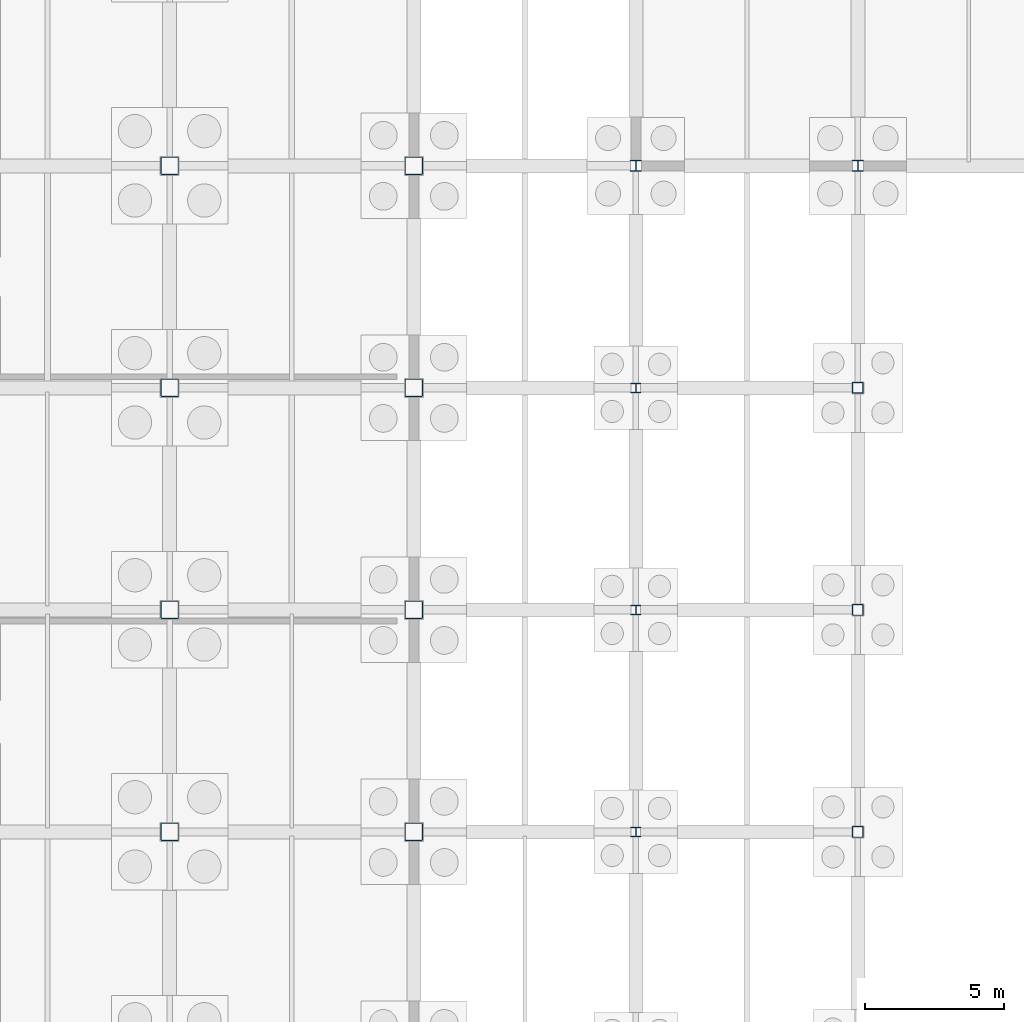
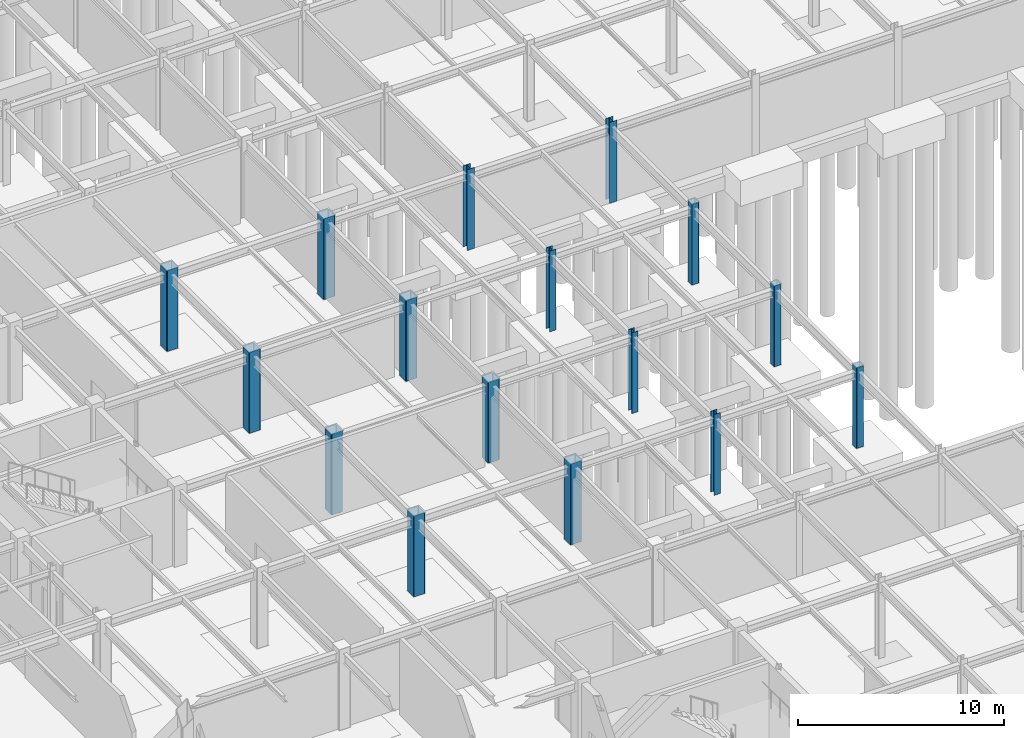
# One storey, part 15 of 72: 16 columns.
"""IFC4 building model written with IfcOpenShell, lengths in metres."""

from ifc_helpers import new_model, si_unit, direction, frame, origin, origin_2d, place, context, subcontext, project, spatial, hollow_rectangle, i_section, extrude, material, material_profile, profile_set, type_object, element, save


model = new_model("IFC4")

# Units and contexts
model_context = context("Model", 3, precision=1e-05, world=origin(), true_north=direction((0.0, 1.0)))
body_context = subcontext(model_context, "Body", "Model", "MODEL_VIEW")
ifc_project = project(units=[si_unit("LENGTHUNIT", "METRE"), si_unit("AREAUNIT", "SQUARE_METRE"), si_unit("VOLUMEUNIT", "CUBIC_METRE"), si_unit("PLANEANGLEUNIT", "RADIAN"), si_unit("MASSUNIT", "GRAM", prefix="KILO")], contexts=[model_context])

# Site, building, storey
site_placement = place(None, origin())
site = spatial("IfcSite", under=ifc_project, at=site_placement, CompositionType="ELEMENT")
building_placement = place(site_placement, origin())
building = spatial("IfcBuilding", under=site, at=building_placement, Name="Zhaolan Boulevard Law Courts", CompositionType="ELEMENT")
storey_placement = place(building_placement, frame((0.0, 0.0, -4.800048828125)))
storey = spatial("IfcBuildingStorey", under=building, at=storey_placement, Name="B1", CompositionType="ELEMENT", Elevation=-4.800048828125)

# Columns
ifc_material_1 = material(Name="Structural steel Q355B", Category="steel")
ifc_material_profile_1 = material_profile(ifc_material_1, hollow_rectangle(XDim=0.39990234375, YDim=0.39990234375, WallThickness=0.01611328125, InnerFilletRadius=0.01611328125, OuterFilletRadius=0.031982421875, at=origin_2d()), Name="BOX400x400x16")
ifc_profile_set_1 = profile_set([ifc_material_profile_1], Name="Structural steel Q355B")
column_type_1 = type_object("IfcColumnType", Name="COL BOX400", PredefinedType="COLUMN", material=ifc_profile_set_1)
for number, where, z_axis, x_axis, name in (
    (1, (60.0, 38.0, 0.0), (0.0, 0.0, 1.0), (1.0, 0.0, 0.0), "Column C-8F (B1)"),
    (2, (60.0, 46.0, 0.0), (0.0, 0.0, 1.0), (1.0, 0.0, 0.0), "Column C-8G (B1)"),
    (3, (60.0, 54.0, 0.0), (0.0, 0.0, 1.0), (1.0, 0.0, 0.0), "Column C-8H (B1)"),
):
    element("IfcColumn", number, at=place(storey_placement, frame(where, z_axis=z_axis, x_axis=x_axis)), inside=storey, type_object=column_type_1, Name=name, PredefinedType="COLUMN", context=body_context, shape_type="SweptSolid", body=[
        extrude(hollow_rectangle(XDim=0.39990234375, YDim=0.39990234375, WallThickness=0.01611328125, InnerFilletRadius=0.01611328125, OuterFilletRadius=0.031982421875, at=origin_2d()), origin(), (0.0, 0.0, 1.0), 4.800048828125),
    ])
ifc_material_2 = material(Name="Structural steel Q390B", Category="steel")
ifc_material_profile_2 = material_profile(ifc_material_2, hollow_rectangle(XDim=0.64990234375, YDim=0.64990234375, WallThickness=0.02587890625, InnerFilletRadius=0.02587890625, OuterFilletRadius=0.052001953125, at=origin_2d()), Name="BOX650x650x26")
ifc_profile_set_2 = profile_set([ifc_material_profile_2], Name="Structural steel Q390B")
column_type_2 = type_object("IfcColumnType", Name="COL BOX650", PredefinedType="COLUMN", material=ifc_profile_set_2)
for number, where, z_axis, x_axis, name in (
    (4, (35.199951171875, 38.0, 0.0), (0.0, 0.0, 1.0), (1.0, 0.0, 0.0), "Column C-5F (B1)"),
    (5, (35.199951171875, 46.0, 0.0), (0.0, 0.0, 1.0), (1.0, 0.0, 0.0), "Column C-5G (B1)"),
    (6, (35.199951171875, 54.0, 0.0), (0.0, 0.0, 1.0), (1.0, 0.0, 0.0), "Column C-5H (B1)"),
    (7, (35.199951171875, 62.0, 0.0), (0.0, 0.0, 1.0), (1.0, 0.0, 0.0), "Column C-5J (B1)"),
    (8, (44.0, 38.0, 0.0), (0.0, 0.0, 1.0), (1.0, 0.0, 0.0), "Column C-6F (B1)"),
    (9, (44.0, 46.0, 0.0), (0.0, 0.0, 1.0), (1.0, 0.0, 0.0), "Column C-6G (B1)"),
    (10, (44.0, 54.0, 0.0), (0.0, 0.0, 1.0), (1.0, 0.0, 0.0), "Column C-6H (B1)"),
    (11, (44.0, 62.0, 0.0), (0.0, 0.0, 1.0), (1.0, 0.0, 0.0), "Column C-6J (B1)"),
):
    element("IfcColumn", number, at=place(storey_placement, frame(where, z_axis=z_axis, x_axis=x_axis)), inside=storey, type_object=column_type_2, Name=name, PredefinedType="COLUMN", context=body_context, shape_type="SweptSolid", body=[
        extrude(hollow_rectangle(XDim=0.64990234375, YDim=0.64990234375, WallThickness=0.02587890625, InnerFilletRadius=0.02587890625, OuterFilletRadius=0.052001953125, at=origin_2d()), origin(), (0.0, 0.0, 1.0), 4.800048828125),
    ])
ifc_material_3 = material(Name="Structural steel Q355B", Category="steel")
ifc_material_profile_3 = material_profile(ifc_material_3, i_section(OverallWidth=0.35009765625, OverallDepth=0.35009765625, WebThickness=0.011962890625, FlangeThickness=0.01904296875, FilletRadius=0.02001953125, at=origin_2d()), Name="HW350x350")
ifc_profile_set_3 = profile_set([ifc_material_profile_3], Name="Structural steel Q355B")
column_type_3 = type_object("IfcColumnType", Name="COL HW350", PredefinedType="COLUMN", material=ifc_profile_set_3)
for number, where, z_axis, x_axis, name in (
    (12, (52.0, 38.0, 0.0), (0.0, 0.0, 1.0), (1.0, 0.0, 0.0), "Column C-7F (B1)"),
    (13, (52.0, 46.0, 0.0), (0.0, 0.0, 1.0), (1.0, 0.0, 0.0), "Column C-7G (B1)"),
    (14, (52.0, 54.0, 0.0), (0.0, 0.0, 1.0), (1.0, 0.0, 0.0), "Column C-7H (B1)"),
):
    element("IfcColumn", number, at=place(storey_placement, frame(where, z_axis=z_axis, x_axis=x_axis)), inside=storey, type_object=column_type_3, Name=name, PredefinedType="COLUMN", context=body_context, shape_type="SweptSolid", body=[
        extrude(i_section(OverallWidth=0.35009765625, OverallDepth=0.35009765625, WebThickness=0.011962890625, FlangeThickness=0.01904296875, FilletRadius=0.02001953125, at=origin_2d()), origin(), (0.0, 0.0, 1.0), 4.800048828125),
    ])
ifc_material_4 = material(Name="Structural steel Q390B", Category="steel")
ifc_material_profile_4 = material_profile(ifc_material_4, i_section(OverallWidth=0.39990234375, OverallDepth=0.39990234375, WebThickness=0.012939453125, FlangeThickness=0.02099609375, FilletRadius=0.02197265625, at=origin_2d()), Name="HW400x400")
ifc_profile_set_4 = profile_set([ifc_material_profile_4], Name="Structural steel Q390B")
column_type_4 = type_object("IfcColumnType", Name="COL HW400", PredefinedType="COLUMN", material=ifc_profile_set_4)
for number, where, z_axis, x_axis, name in (
    (15, (52.0, 62.0, 0.0), (0.0, 0.0, 1.0), (1.0, 0.0, 0.0), "Column C-7J (B1)"),
    (16, (60.0, 62.0, 0.0), (0.0, 0.0, 1.0), (1.0, 0.0, 0.0), "Column C-8J (B1)"),
):
    element("IfcColumn", number, at=place(storey_placement, frame(where, z_axis=z_axis, x_axis=x_axis)), inside=storey, type_object=column_type_4, Name=name, PredefinedType="COLUMN", context=body_context, shape_type="SweptSolid", body=[
        extrude(i_section(OverallWidth=0.39990234375, OverallDepth=0.39990234375, WebThickness=0.012939453125, FlangeThickness=0.02099609375, FilletRadius=0.02197265625, at=origin_2d()), origin(), (0.0, 0.0, 1.0), 4.800048828125),
    ])

save(model, "model.ifc")
